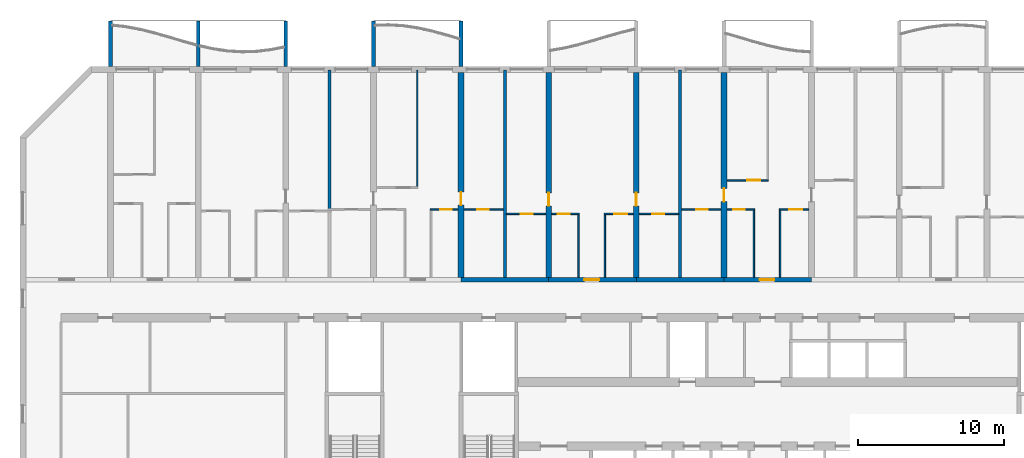
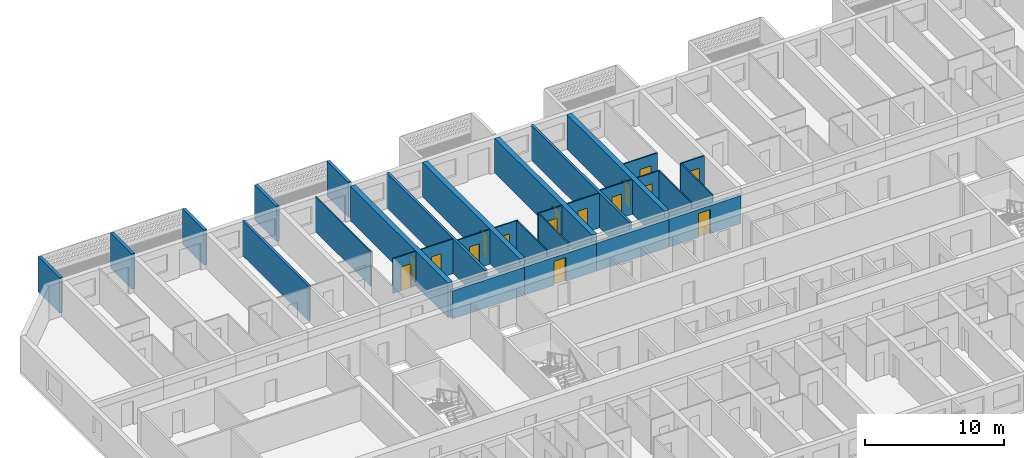
# One storey, part 11 of 40: 31 walls, 16 doors, 16 openings.
"""IFC4 building model written with IfcOpenShell, lengths in metres."""

from ifc_helpers import new_model, si_unit, direction, frame, frame_2d, origin, place, context, subcontext, project, spatial, polyline, rectangle, outline, extrude, source, transform, mapped, material, layer, layer_set, type_object, element, fill, save


model = new_model("IFC4")

# Units and contexts
model_context = context("Model", 3, precision=1e-05, world=origin(), true_north=direction((0.0, 1.0)))
body_context = subcontext(model_context, "Body", "Model", "MODEL_VIEW")
ifc_project = project(units=[si_unit("LENGTHUNIT", "METRE"), si_unit("AREAUNIT", "SQUARE_METRE"), si_unit("VOLUMEUNIT", "CUBIC_METRE"), si_unit("PLANEANGLEUNIT", "RADIAN"), si_unit("MASSUNIT", "GRAM", prefix="KILO")], contexts=[model_context])

# Site, building, storey
site_placement = place(None, origin())
site = spatial("IfcSite", under=ifc_project, at=site_placement, CompositionType="ELEMENT")
building_placement = place(site_placement, origin())
building = spatial("IfcBuilding", under=site, at=building_placement, Name="Poui Terraces", CompositionType="ELEMENT")
storey_placement = place(building_placement, frame((0.0, 0.0, 39.89990234375)))
storey = spatial("IfcBuildingStorey", under=building, at=storey_placement, Name="L10", CompositionType="ELEMENT", Elevation=39.89990234375)

# Wall
ifc_material_1 = material(Name="Concrete 80 MPa", Category="concrete")
ifc_layer_1 = layer(ifc_material_1, 0.300048828125)
ifc_layer_set_1 = layer_set([ifc_layer_1], Name="Concrete 80 MPa")
wall_type_1 = type_object("IfcWallType", Name="CORRIDOR WALL 300 80MPa", PredefinedType="SHEAR", material=ifc_layer_set_1)
wall_1_placement = place(storey_placement, frame((30.0, 30.39990234375, 0.0), z_axis=(0.0, 0.0, 1.0), x_axis=(1.0, 0.0, 0.0)))
element("IfcWall", 1, at=wall_1_placement, inside=storey, type_object=wall_type_1, Name="CORRIDOR WALL LINE E BAY 6", PredefinedType="SHEAR", context=body_context, shape_type="SweptSolid", body=[
    extrude(rectangle(XDim=6.0, YDim=0.300048828125, at=frame_2d((3.0, 0.0))), origin(), (0.0, 0.0, 1.0), 2.4501953125),
])

# Wall, opening, door
wall_2_placement = place(storey_placement, frame((36.0, 30.39990234375, 0.0), z_axis=(0.0, 0.0, 1.0), x_axis=(1.0, 0.0, 0.0)))
wall_2 = element("IfcWall", 2, at=wall_2_placement, inside=storey, type_object=wall_type_1, Name="CORRIDOR WALL LINE E BAY 7", PredefinedType="SHEAR", context=body_context, shape_type="SweptSolid", body=[
    extrude(rectangle(XDim=6.0, YDim=0.300048828125, at=frame_2d((3.0, 0.0))), origin(), (0.0, 0.0, 1.0), 2.4501953125),
])
opening_1_placement = place(wall_2_placement, frame((2.449951171875, 0.0, 0.0)))
opening_1 = element("IfcOpeningElement", 3, at=opening_1_placement, cuts=wall_2, Name="Opening FD30S", PredefinedType="OPENING", context=body_context, shape_type="SweptSolid", body=[
    extrude(rectangle(XDim=1.0, YDim=2.10009765625, at=frame_2d((0.5, 1.050048828125))), frame((0.0, 0.16015625, 0.0), z_axis=(0.0, -1.0, 0.0), x_axis=(1.0, 0.0, 0.0)), (0.0, 0.0, 1.0), 0.320068359375),
])
ifc_material_2 = material(Name="Steel fire door", Category="steel")
door_type_1 = type_object("IfcDoorType", Name="FLAT ENTRANCE DOOR 1000 X 2100", OperationType="NOTDEFINED", PredefinedType="DOOR", material=ifc_material_2)
door_1_placement = place(opening_1_placement, origin())
door_1 = element("IfcDoor", 4, at=door_1_placement, inside=storey, type_object=door_type_1, Name="FLAT ENTRANCE DOOR 052", OperationType="SINGLE_SWING_LEFT", OverallHeight=2.10009765625, OverallWidth=1.0, PredefinedType="DOOR", context=body_context, shape_type="SweptSolid", body=[
    extrude(rectangle(XDim=1.0, YDim=2.10009765625, at=frame_2d((0.5, 1.050048828125))), frame((0.0, 0.02490234375, 0.0), z_axis=(0.0, -1.0, 0.0), x_axis=(1.0, 0.0, 0.0)), (0.0, 0.0, 1.0), 0.050048828125),
])
fill(opening_1, door_1)

# Wall
wall_3_placement = place(storey_placement, frame((42.0, 30.39990234375, 0.0), z_axis=(0.0, 0.0, 1.0), x_axis=(1.0, 0.0, 0.0)))
element("IfcWall", 5, at=wall_3_placement, inside=storey, type_object=wall_type_1, Name="CORRIDOR WALL LINE E BAY 8", PredefinedType="SHEAR", context=body_context, shape_type="SweptSolid", body=[
    extrude(rectangle(XDim=6.0, YDim=0.300048828125, at=frame_2d((3.0, 0.0))), origin(), (0.0, 0.0, 1.0), 2.4501953125),
])

# Wall, opening, door
wall_4_placement = place(storey_placement, frame((48.0, 30.39990234375, 0.0), z_axis=(0.0, 0.0, 1.0), x_axis=(1.0, 0.0, 0.0)))
wall_4 = element("IfcWall", 6, at=wall_4_placement, inside=storey, type_object=wall_type_1, Name="CORRIDOR WALL LINE E BAY 9", PredefinedType="SHEAR", context=body_context, shape_type="SweptSolid", body=[
    extrude(rectangle(XDim=6.0, YDim=0.300048828125, at=frame_2d((3.0, 0.0))), origin(), (0.0, 0.0, 1.0), 2.4501953125),
])
opening_2_placement = place(wall_4_placement, frame((2.449951171875, 0.0, 0.0)))
opening_2 = element("IfcOpeningElement", 7, at=opening_2_placement, cuts=wall_4, Name="Opening FD30S", PredefinedType="OPENING", context=body_context, shape_type="SweptSolid", body=[
    extrude(rectangle(XDim=1.0, YDim=2.10009765625, at=frame_2d((0.5, 1.050048828125))), frame((0.0, 0.16015625, 0.0), z_axis=(0.0, -1.0, 0.0), x_axis=(1.0, 0.0, 0.0)), (0.0, 0.0, 1.0), 0.320068359375),
])
door_2_placement = place(opening_2_placement, origin())
door_2 = element("IfcDoor", 8, at=door_2_placement, inside=storey, type_object=door_type_1, Name="FLAT ENTRANCE DOOR 060", OperationType="SINGLE_SWING_LEFT", OverallHeight=2.10009765625, OverallWidth=1.0, PredefinedType="DOOR", context=body_context, shape_type="SweptSolid", body=[
    extrude(rectangle(XDim=1.0, YDim=2.10009765625, at=frame_2d((0.5, 1.050048828125))), frame((0.0, 0.02490234375, 0.0), z_axis=(0.0, -1.0, 0.0), x_axis=(1.0, 0.0, 0.0)), (0.0, 0.0, 1.0), 0.050048828125),
])
fill(opening_2, door_2)

ifc_layer_2 = layer(ifc_material_1, 0.39990234375)
ifc_layer_set_2 = layer_set([ifc_layer_2], Name="Concrete 80 MPa")
wall_type_2 = type_object("IfcWallType", Name="CROSS WALL 400 80MPa", PredefinedType="SHEAR", material=ifc_layer_set_2)
wall_5_placement = place(storey_placement, frame((30.0, 30.550048828125, 0.0), z_axis=(0.0, 0.0, 1.0), x_axis=(0.0, 1.0, 0.0)))
wall_5 = element("IfcWall", 9, at=wall_5_placement, inside=storey, type_object=wall_type_2, Name="CROSS WALL LINE 6 NORTH", PredefinedType="SHEAR", context=body_context, shape_type="SweptSolid", body=[
    extrude(rectangle(XDim=14.050048828125, YDim=0.39990234375, at=frame_2d((7.02490234375, 0.0))), origin(), (0.0, 0.0, 1.0), 3.050048828125),
])
opening_3_placement = place(wall_5_placement, frame((4.949951171875, 0.0, 0.0)))
opening_3 = element("IfcOpeningElement", 10, at=opening_3_placement, cuts=wall_5, Name="Opening D90", PredefinedType="OPENING", context=body_context, shape_type="SweptSolid", body=[
    extrude(rectangle(XDim=0.89990234375, YDim=2.10009765625, at=frame_2d((0.449951171875, 1.050048828125))), frame((0.0, 0.2099609375, 0.0), z_axis=(0.0, -1.0, 0.0), x_axis=(1.0, 0.0, 0.0)), (0.0, 0.0, 1.0), 0.419921875),
])
ifc_material_3 = material(Name="Solid core timber door", Category="wood")
door_type_2 = type_object("IfcDoorType", Name="INTERNAL DOOR 900 X 2100", OperationType="NOTDEFINED", PredefinedType="DOOR", material=ifc_material_3)
door_3_placement = place(opening_3_placement, frame((0.89990234375, 0.0, 0.0), z_axis=(0.0, 0.0, 1.0), x_axis=(-1.0, 0.0, 0.0)))
door_3 = element("IfcDoor", 11, at=door_3_placement, inside=storey, type_object=door_type_2, Name="INTERNAL DOOR 047", OperationType="SINGLE_SWING_RIGHT", OverallHeight=2.10009765625, OverallWidth=0.89990234375, PredefinedType="DOOR", context=body_context, shape_type="SweptSolid", body=[
    extrude(rectangle(XDim=0.89990234375, YDim=2.10009765625, at=frame_2d((0.449951171875, 1.050048828125))), frame((0.0, 0.02490234375, 0.0), z_axis=(0.0, -1.0, 0.0), x_axis=(1.0, 0.0, 0.0)), (0.0, 0.0, 1.0), 0.050048828125),
])
fill(opening_3, door_3)

wall_6_placement = place(storey_placement, frame((36.0, 30.550048828125, 0.0), z_axis=(0.0, 0.0, 1.0), x_axis=(0.0, 1.0, 0.0)))
wall_6 = element("IfcWall", 12, at=wall_6_placement, inside=storey, type_object=wall_type_2, Name="CROSS WALL LINE 7 NORTH", PredefinedType="SHEAR", context=body_context, shape_type="SweptSolid", body=[
    extrude(rectangle(XDim=14.050048828125, YDim=0.39990234375, at=frame_2d((7.02490234375, 0.0))), origin(), (0.0, 0.0, 1.0), 3.050048828125),
])
opening_4_placement = place(wall_6_placement, frame((4.89990234375, 0.0, 0.0)))
opening_4 = element("IfcOpeningElement", 13, at=opening_4_placement, cuts=wall_6, Name="Opening D90", PredefinedType="OPENING", context=body_context, shape_type="SweptSolid", body=[
    extrude(rectangle(XDim=0.89990234375, YDim=2.10009765625, at=frame_2d((0.449951171875, 1.050048828125))), frame((0.0, 0.2099609375, 0.0), z_axis=(0.0, -1.0, 0.0), x_axis=(1.0, 0.0, 0.0)), (0.0, 0.0, 1.0), 0.419921875),
])
door_4_placement = place(opening_4_placement, origin())
door_4 = element("IfcDoor", 14, at=door_4_placement, inside=storey, type_object=door_type_2, Name="INTERNAL DOOR 050", OperationType="SINGLE_SWING_LEFT", OverallHeight=2.10009765625, OverallWidth=0.89990234375, PredefinedType="DOOR", context=body_context, shape_type="SweptSolid", body=[
    extrude(rectangle(XDim=0.89990234375, YDim=2.10009765625, at=frame_2d((0.449951171875, 1.050048828125))), frame((0.0, 0.02490234375, 0.0), z_axis=(0.0, -1.0, 0.0), x_axis=(1.0, 0.0, 0.0)), (0.0, 0.0, 1.0), 0.050048828125),
])
fill(opening_4, door_4)

wall_7_placement = place(storey_placement, frame((42.0, 30.550048828125, 0.0), z_axis=(0.0, 0.0, 1.0), x_axis=(0.0, 1.0, 0.0)))
wall_7 = element("IfcWall", 15, at=wall_7_placement, inside=storey, type_object=wall_type_2, Name="CROSS WALL LINE 8 NORTH", PredefinedType="SHEAR", context=body_context, shape_type="SweptSolid", body=[
    extrude(rectangle(XDim=14.050048828125, YDim=0.39990234375, at=frame_2d((7.02490234375, 0.0))), origin(), (0.0, 0.0, 1.0), 3.050048828125),
])
opening_5_placement = place(wall_7_placement, frame((4.89990234375, 0.0, 0.0)))
opening_5 = element("IfcOpeningElement", 16, at=opening_5_placement, cuts=wall_7, Name="Opening D90", PredefinedType="OPENING", context=body_context, shape_type="SweptSolid", body=[
    extrude(rectangle(XDim=0.89990234375, YDim=2.10009765625, at=frame_2d((0.449951171875, 1.050048828125))), frame((0.0, 0.2099609375, 0.0), z_axis=(0.0, -1.0, 0.0), x_axis=(1.0, 0.0, 0.0)), (0.0, 0.0, 1.0), 0.419921875),
])
door_5_placement = place(opening_5_placement, frame((0.89990234375, 0.0, 0.0), z_axis=(0.0, 0.0, 1.0), x_axis=(-1.0, 0.0, 0.0)))
door_5 = element("IfcDoor", 17, at=door_5_placement, inside=storey, type_object=door_type_2, Name="INTERNAL DOOR 054", OperationType="SINGLE_SWING_RIGHT", OverallHeight=2.10009765625, OverallWidth=0.89990234375, PredefinedType="DOOR", context=body_context, shape_type="SweptSolid", body=[
    extrude(rectangle(XDim=0.89990234375, YDim=2.10009765625, at=frame_2d((0.449951171875, 1.050048828125))), frame((0.0, 0.02490234375, 0.0), z_axis=(0.0, -1.0, 0.0), x_axis=(1.0, 0.0, 0.0)), (0.0, 0.0, 1.0), 0.050048828125),
])
fill(opening_5, door_5)

wall_8_placement = place(storey_placement, frame((48.0, 30.550048828125, 0.0), z_axis=(0.0, 0.0, 1.0), x_axis=(0.0, 1.0, 0.0)))
wall_8 = element("IfcWall", 18, at=wall_8_placement, inside=storey, type_object=wall_type_2, Name="CROSS WALL LINE 9 NORTH", PredefinedType="SHEAR", context=body_context, shape_type="SweptSolid", body=[
    extrude(rectangle(XDim=14.050048828125, YDim=0.39990234375, at=frame_2d((7.02490234375, 0.0))), origin(), (0.0, 0.0, 1.0), 3.050048828125),
])
opening_6_placement = place(wall_8_placement, frame((5.199951171875, 0.0, 0.0)))
opening_6 = element("IfcOpeningElement", 19, at=opening_6_placement, cuts=wall_8, Name="Opening D90", PredefinedType="OPENING", context=body_context, shape_type="SweptSolid", body=[
    extrude(rectangle(XDim=0.89990234375, YDim=2.10009765625, at=frame_2d((0.449951171875, 1.050048828125))), frame((0.0, 0.2099609375, 0.0), z_axis=(0.0, -1.0, 0.0), x_axis=(1.0, 0.0, 0.0)), (0.0, 0.0, 1.0), 0.419921875),
])
door_6_placement = place(opening_6_placement, origin())
door_6 = element("IfcDoor", 20, at=door_6_placement, inside=storey, type_object=door_type_2, Name="INTERNAL DOOR 057", OperationType="SINGLE_SWING_LEFT", OverallHeight=2.10009765625, OverallWidth=0.89990234375, PredefinedType="DOOR", context=body_context, shape_type="SweptSolid", body=[
    extrude(rectangle(XDim=0.89990234375, YDim=2.10009765625, at=frame_2d((0.449951171875, 1.050048828125))), frame((0.0, 0.02490234375, 0.0), z_axis=(0.0, -1.0, 0.0), x_axis=(1.0, 0.0, 0.0)), (0.0, 0.0, 1.0), 0.050048828125),
])
fill(opening_6, door_6)

ifc_material_4 = material(Name="Plasterboard partition")
ifc_layer_3 = layer(ifc_material_4, 0.10009765625)
ifc_layer_set_3 = layer_set([ifc_layer_3], Name="Plasterboard partition")
wall_type_3 = type_object("IfcWallType", Name="FLAT PARTITION 100", PredefinedType="PARTITIONING", material=ifc_layer_set_3)
wall_9_placement = place(storey_placement, frame((33.10009765625, 34.89990234375, 0.0), z_axis=(0.0, 0.0, 1.0), x_axis=(1.0, 0.0, 0.0)))
wall_9 = element("IfcWall", 21, at=wall_9_placement, inside=storey, type_object=wall_type_3, Name="FLAT PARTITION 100", PredefinedType="PARTITIONING", context=body_context, shape_type="SweptSolid", body=[
    extrude(rectangle(XDim=2.68994140625, YDim=0.10009765625, at=frame_2d((1.344970703125, 0.0))), origin(), (0.0, 0.0, 1.0), 3.050048828125),
])
opening_7_placement = place(wall_9_placement, frame((1.0, 0.0, 0.0)))
opening_7 = element("IfcOpeningElement", 22, at=opening_7_placement, cuts=wall_9, Name="Opening D80", PredefinedType="OPENING", context=body_context, shape_type="SweptSolid", body=[
    extrude(rectangle(XDim=0.800048828125, YDim=2.10009765625, at=frame_2d((0.39990234375, 1.050048828125))), frame((0.0, 0.06005859375, 0.0), z_axis=(0.0, -1.0, 0.0), x_axis=(1.0, 0.0, 0.0)), (0.0, 0.0, 1.0), 0.1201171875),
])
door_type_3 = type_object("IfcDoorType", Name="BATHROOM, LAUNDRY AND STORE DOOR 800 X 2100", OperationType="NOTDEFINED", PredefinedType="DOOR", material=ifc_material_3)
door_7_placement = place(opening_7_placement, frame((0.800048828125, 0.0, 0.0), z_axis=(0.0, 0.0, 1.0), x_axis=(-1.0, 0.0, 0.0)))
door_7 = element("IfcDoor", 23, at=door_7_placement, inside=storey, type_object=door_type_3, Name="BATHROOM, LAUNDRY AND STORE DOOR 048", OperationType="SINGLE_SWING_RIGHT", OverallHeight=2.10009765625, OverallWidth=0.800048828125, PredefinedType="DOOR", context=body_context, shape_type="SweptSolid", body=[
    extrude(rectangle(XDim=0.800048828125, YDim=2.10009765625, at=frame_2d((0.39990234375, 1.050048828125))), frame((0.0, 0.02490234375, 0.0), z_axis=(0.0, -1.0, 0.0), x_axis=(1.0, 0.0, 0.0)), (0.0, 0.0, 1.0), 0.050048828125),
])
fill(opening_7, door_7)

wall_10_placement = place(storey_placement, frame((36.2099609375, 34.89990234375, 0.0), z_axis=(0.0, 0.0, 1.0), x_axis=(1.0, 0.0, 0.0)))
wall_10 = element("IfcWall", 24, at=wall_10_placement, inside=storey, type_object=wall_type_3, Name="FLAT PARTITION 100", PredefinedType="PARTITIONING", context=body_context, shape_type="SweptSolid", body=[
    extrude(rectangle(XDim=1.89013671875, YDim=0.10009765625, at=frame_2d((0.945068359375, 0.0))), origin(), (0.0, 0.0, 1.0), 3.050048828125),
])
opening_8_placement = place(wall_10_placement, frame((0.4150390625, 0.0, 0.0)))
opening_8 = element("IfcOpeningElement", 25, at=opening_8_placement, cuts=wall_10, Name="Opening D80", PredefinedType="OPENING", context=body_context, shape_type="SweptSolid", body=[
    extrude(rectangle(XDim=0.800048828125, YDim=2.10009765625, at=frame_2d((0.39990234375, 1.050048828125))), frame((0.0, 0.06005859375, 0.0), z_axis=(0.0, -1.0, 0.0), x_axis=(1.0, 0.0, 0.0)), (0.0, 0.0, 1.0), 0.1201171875),
])
door_8_placement = place(opening_8_placement, frame((0.800048828125, 0.0, 0.0), z_axis=(0.0, 0.0, 1.0), x_axis=(-1.0, 0.0, 0.0)))
door_8 = element("IfcDoor", 26, at=door_8_placement, inside=storey, type_object=door_type_3, Name="BATHROOM, LAUNDRY AND STORE DOOR 051", OperationType="SINGLE_SWING_LEFT", OverallHeight=2.10009765625, OverallWidth=0.800048828125, PredefinedType="DOOR", context=body_context, shape_type="SweptSolid", body=[
    extrude(rectangle(XDim=0.800048828125, YDim=2.10009765625, at=frame_2d((0.39990234375, 1.050048828125))), frame((0.0, 0.02490234375, 0.0), z_axis=(0.0, -1.0, 0.0), x_axis=(1.0, 0.0, 0.0)), (0.0, 0.0, 1.0), 0.050048828125),
])
fill(opening_8, door_8)

wall_11_placement = place(storey_placement, frame((39.800048828125, 34.89990234375, 0.0), z_axis=(0.0, 0.0, 1.0), x_axis=(1.0, 0.0, 0.0)))
wall_11 = element("IfcWall", 27, at=wall_11_placement, inside=storey, type_object=wall_type_3, Name="FLAT PARTITION 100", PredefinedType="PARTITIONING", context=body_context, shape_type="SweptSolid", body=[
    extrude(rectangle(XDim=1.989990234375, YDim=0.10009765625, at=frame_2d((0.9951171875, 0.0))), origin(), (0.0, 0.0, 1.0), 3.050048828125),
])
opening_9_placement = place(wall_11_placement, frame((0.675048828125, 0.0, 0.0)))
opening_9 = element("IfcOpeningElement", 28, at=opening_9_placement, cuts=wall_11, Name="Opening D90", PredefinedType="OPENING", context=body_context, shape_type="SweptSolid", body=[
    extrude(rectangle(XDim=0.89990234375, YDim=2.10009765625, at=frame_2d((0.449951171875, 1.050048828125))), frame((0.0, 0.06005859375, 0.0), z_axis=(0.0, -1.0, 0.0), x_axis=(1.0, 0.0, 0.0)), (0.0, 0.0, 1.0), 0.1201171875),
])
door_9_placement = place(opening_9_placement, frame((0.89990234375, 0.0, 0.0), z_axis=(0.0, 0.0, 1.0), x_axis=(-1.0, 0.0, 0.0)))
door_9 = element("IfcDoor", 29, at=door_9_placement, inside=storey, type_object=door_type_2, Name="INTERNAL DOOR 053", OperationType="SINGLE_SWING_RIGHT", OverallHeight=2.10009765625, OverallWidth=0.89990234375, PredefinedType="DOOR", context=body_context, shape_type="SweptSolid", body=[
    extrude(rectangle(XDim=0.89990234375, YDim=2.10009765625, at=frame_2d((0.449951171875, 1.050048828125))), frame((0.0, 0.02490234375, 0.0), z_axis=(0.0, -1.0, 0.0), x_axis=(1.0, 0.0, 0.0)), (0.0, 0.0, 1.0), 0.050048828125),
])
fill(opening_9, door_9)

wall_12_placement = place(storey_placement, frame((42.2099609375, 34.89990234375, 0.0), z_axis=(0.0, 0.0, 1.0), x_axis=(1.0, 0.0, 0.0)))
wall_12 = element("IfcWall", 30, at=wall_12_placement, inside=storey, type_object=wall_type_3, Name="FLAT PARTITION 100", PredefinedType="PARTITIONING", context=body_context, shape_type="SweptSolid", body=[
    extrude(rectangle(XDim=2.68994140625, YDim=0.10009765625, at=frame_2d((1.344970703125, 0.0))), origin(), (0.0, 0.0, 1.0), 3.050048828125),
])
opening_10_placement = place(wall_12_placement, frame((0.889892578125, 0.0, 0.0)))
opening_10 = element("IfcOpeningElement", 31, at=opening_10_placement, cuts=wall_12, Name="Opening D80", PredefinedType="OPENING", context=body_context, shape_type="SweptSolid", body=[
    extrude(rectangle(XDim=0.800048828125, YDim=2.10009765625, at=frame_2d((0.39990234375, 1.050048828125))), frame((0.0, 0.06005859375, 0.0), z_axis=(0.0, -1.0, 0.0), x_axis=(1.0, 0.0, 0.0)), (0.0, 0.0, 1.0), 0.1201171875),
])
door_10_placement = place(opening_10_placement, frame((0.800048828125, 0.0, 0.0), z_axis=(0.0, 0.0, 1.0), x_axis=(-1.0, 0.0, 0.0)))
door_10 = element("IfcDoor", 32, at=door_10_placement, inside=storey, type_object=door_type_3, Name="BATHROOM, LAUNDRY AND STORE DOOR 049", OperationType="SINGLE_SWING_RIGHT", OverallHeight=2.10009765625, OverallWidth=0.800048828125, PredefinedType="DOOR", context=body_context, shape_type="SweptSolid", body=[
    extrude(rectangle(XDim=0.800048828125, YDim=2.10009765625, at=frame_2d((0.39990234375, 1.050048828125))), frame((0.0, 0.02490234375, 0.0), z_axis=(0.0, -1.0, 0.0), x_axis=(1.0, 0.0, 0.0)), (0.0, 0.0, 1.0), 0.050048828125),
])
fill(opening_10, door_10)

wall_13_placement = place(storey_placement, frame((27.89990234375, 35.199951171875, 0.0), z_axis=(0.0, 0.0, 1.0), x_axis=(1.0, 0.0, 0.0)))
wall_13 = element("IfcWall", 33, at=wall_13_placement, inside=storey, type_object=wall_type_3, Name="FLAT PARTITION 100", PredefinedType="PARTITIONING", context=body_context, shape_type="SweptSolid", body=[
    extrude(rectangle(XDim=1.89013671875, YDim=0.10009765625, at=frame_2d((0.945068359375, 0.0))), origin(), (0.0, 0.0, 1.0), 3.050048828125),
])
opening_11_placement = place(wall_13_placement, frame((0.675048828125, 0.0, 0.0)))
opening_11 = element("IfcOpeningElement", 34, at=opening_11_placement, cuts=wall_13, Name="Opening D80", PredefinedType="OPENING", context=body_context, shape_type="SweptSolid", body=[
    extrude(rectangle(XDim=0.800048828125, YDim=2.10009765625, at=frame_2d((0.39990234375, 1.050048828125))), frame((0.0, 0.06005859375, 0.0), z_axis=(0.0, -1.0, 0.0), x_axis=(1.0, 0.0, 0.0)), (0.0, 0.0, 1.0), 0.1201171875),
])
door_11_placement = place(opening_11_placement, frame((0.800048828125, 0.0, 0.0), z_axis=(0.0, 0.0, 1.0), x_axis=(-1.0, 0.0, 0.0)))
door_11 = element("IfcDoor", 35, at=door_11_placement, inside=storey, type_object=door_type_3, Name="BATHROOM, LAUNDRY AND STORE DOOR 046", OperationType="SINGLE_SWING_RIGHT", OverallHeight=2.10009765625, OverallWidth=0.800048828125, PredefinedType="DOOR", context=body_context, shape_type="SweptSolid", body=[
    extrude(rectangle(XDim=0.800048828125, YDim=2.10009765625, at=frame_2d((0.39990234375, 1.050048828125))), frame((0.0, 0.02490234375, 0.0), z_axis=(0.0, -1.0, 0.0), x_axis=(1.0, 0.0, 0.0)), (0.0, 0.0, 1.0), 0.050048828125),
])
fill(opening_11, door_11)

wall_14_placement = place(storey_placement, frame((30.2099609375, 35.199951171875, 0.0), z_axis=(0.0, 0.0, 1.0), x_axis=(1.0, 0.0, 0.0)))
wall_14 = element("IfcWall", 36, at=wall_14_placement, inside=storey, type_object=wall_type_3, Name="FLAT PARTITION 100", PredefinedType="PARTITIONING", context=body_context, shape_type="SweptSolid", body=[
    extrude(rectangle(XDim=2.68994140625, YDim=0.10009765625, at=frame_2d((1.344970703125, 0.0))), origin(), (0.0, 0.0, 1.0), 3.050048828125),
])
opening_12_placement = place(wall_14_placement, frame((0.889892578125, 0.0, 0.0)))
opening_12 = element("IfcOpeningElement", 37, at=opening_12_placement, cuts=wall_14, Name="Opening D80", PredefinedType="OPENING", context=body_context, shape_type="SweptSolid", body=[
    extrude(rectangle(XDim=0.800048828125, YDim=2.10009765625, at=frame_2d((0.39990234375, 1.050048828125))), frame((0.0, 0.06005859375, 0.0), z_axis=(0.0, -1.0, 0.0), x_axis=(1.0, 0.0, 0.0)), (0.0, 0.0, 1.0), 0.1201171875),
])
door_12_placement = place(opening_12_placement, frame((0.800048828125, 0.0, 0.0), z_axis=(0.0, 0.0, 1.0), x_axis=(-1.0, 0.0, 0.0)))
door_12 = element("IfcDoor", 38, at=door_12_placement, inside=storey, type_object=door_type_3, Name="BATHROOM, LAUNDRY AND STORE DOOR 041", OperationType="SINGLE_SWING_LEFT", OverallHeight=2.10009765625, OverallWidth=0.800048828125, PredefinedType="DOOR", context=body_context, shape_type="SweptSolid", body=[
    extrude(rectangle(XDim=0.800048828125, YDim=2.10009765625, at=frame_2d((0.39990234375, 1.050048828125))), frame((0.0, 0.02490234375, 0.0), z_axis=(0.0, -1.0, 0.0), x_axis=(1.0, 0.0, 0.0)), (0.0, 0.0, 1.0), 0.050048828125),
])
fill(opening_12, door_12)

wall_15_placement = place(storey_placement, frame((45.10009765625, 35.199951171875, 0.0), z_axis=(0.0, 0.0, 1.0), x_axis=(1.0, 0.0, 0.0)))
wall_15 = element("IfcWall", 39, at=wall_15_placement, inside=storey, type_object=wall_type_3, Name="FLAT PARTITION 100", PredefinedType="PARTITIONING", context=body_context, shape_type="SweptSolid", body=[
    extrude(rectangle(XDim=2.68994140625, YDim=0.10009765625, at=frame_2d((1.344970703125, 0.0))), origin(), (0.0, 0.0, 1.0), 3.050048828125),
])
opening_13_placement = place(wall_15_placement, frame((1.0, 0.0, 0.0)))
opening_13 = element("IfcOpeningElement", 40, at=opening_13_placement, cuts=wall_15, Name="Opening D80", PredefinedType="OPENING", context=body_context, shape_type="SweptSolid", body=[
    extrude(rectangle(XDim=0.800048828125, YDim=2.10009765625, at=frame_2d((0.39990234375, 1.050048828125))), frame((0.0, 0.06005859375, 0.0), z_axis=(0.0, -1.0, 0.0), x_axis=(1.0, 0.0, 0.0)), (0.0, 0.0, 1.0), 0.1201171875),
])
door_13_placement = place(opening_13_placement, frame((0.800048828125, 0.0, 0.0), z_axis=(0.0, 0.0, 1.0), x_axis=(-1.0, 0.0, 0.0)))
door_13 = element("IfcDoor", 41, at=door_13_placement, inside=storey, type_object=door_type_3, Name="BATHROOM, LAUNDRY AND STORE DOOR 055", OperationType="SINGLE_SWING_LEFT", OverallHeight=2.10009765625, OverallWidth=0.800048828125, PredefinedType="DOOR", context=body_context, shape_type="SweptSolid", body=[
    extrude(rectangle(XDim=0.800048828125, YDim=2.10009765625, at=frame_2d((0.39990234375, 1.050048828125))), frame((0.0, 0.02490234375, 0.0), z_axis=(0.0, -1.0, 0.0), x_axis=(1.0, 0.0, 0.0)), (0.0, 0.0, 1.0), 0.050048828125),
])
fill(opening_13, door_13)

wall_16_placement = place(storey_placement, frame((48.2099609375, 35.199951171875, 0.0), z_axis=(0.0, 0.0, 1.0), x_axis=(1.0, 0.0, 0.0)))
wall_16 = element("IfcWall", 42, at=wall_16_placement, inside=storey, type_object=wall_type_3, Name="FLAT PARTITION 100", PredefinedType="PARTITIONING", context=body_context, shape_type="SweptSolid", body=[
    extrude(rectangle(XDim=1.89013671875, YDim=0.10009765625, at=frame_2d((0.945068359375, 0.0))), origin(), (0.0, 0.0, 1.0), 3.050048828125),
])
opening_14_placement = place(wall_16_placement, frame((0.4150390625, 0.0, 0.0)))
opening_14 = element("IfcOpeningElement", 43, at=opening_14_placement, cuts=wall_16, Name="Opening D80", PredefinedType="OPENING", context=body_context, shape_type="SweptSolid", body=[
    extrude(rectangle(XDim=0.800048828125, YDim=2.10009765625, at=frame_2d((0.39990234375, 1.050048828125))), frame((0.0, 0.06005859375, 0.0), z_axis=(0.0, -1.0, 0.0), x_axis=(1.0, 0.0, 0.0)), (0.0, 0.0, 1.0), 0.1201171875),
])
door_14_placement = place(opening_14_placement, frame((0.800048828125, 0.0, 0.0), z_axis=(0.0, 0.0, 1.0), x_axis=(-1.0, 0.0, 0.0)))
door_14 = element("IfcDoor", 44, at=door_14_placement, inside=storey, type_object=door_type_3, Name="BATHROOM, LAUNDRY AND STORE DOOR 058", OperationType="SINGLE_SWING_LEFT", OverallHeight=2.10009765625, OverallWidth=0.800048828125, PredefinedType="DOOR", context=body_context, shape_type="SweptSolid", body=[
    extrude(rectangle(XDim=0.800048828125, YDim=2.10009765625, at=frame_2d((0.39990234375, 1.050048828125))), frame((0.0, 0.02490234375, 0.0), z_axis=(0.0, -1.0, 0.0), x_axis=(1.0, 0.0, 0.0)), (0.0, 0.0, 1.0), 0.050048828125),
])
fill(opening_14, door_14)

wall_17_placement = place(storey_placement, frame((51.800048828125, 35.199951171875, 0.0), z_axis=(0.0, 0.0, 1.0), x_axis=(1.0, 0.0, 0.0)))
wall_17 = element("IfcWall", 45, at=wall_17_placement, inside=storey, type_object=wall_type_3, Name="FLAT PARTITION 100", PredefinedType="PARTITIONING", context=body_context, shape_type="SweptSolid", body=[
    extrude(rectangle(XDim=1.989990234375, YDim=0.10009765625, at=frame_2d((0.9951171875, 0.0))), origin(), (0.0, 0.0, 1.0), 3.050048828125),
])
opening_15_placement = place(wall_17_placement, frame((0.675048828125, 0.0, 0.0)))
opening_15 = element("IfcOpeningElement", 46, at=opening_15_placement, cuts=wall_17, Name="Opening D90", PredefinedType="OPENING", context=body_context, shape_type="SweptSolid", body=[
    extrude(rectangle(XDim=0.89990234375, YDim=2.10009765625, at=frame_2d((0.449951171875, 1.050048828125))), frame((0.0, 0.06005859375, 0.0), z_axis=(0.0, -1.0, 0.0), x_axis=(1.0, 0.0, 0.0)), (0.0, 0.0, 1.0), 0.1201171875),
])
door_15_placement = place(opening_15_placement, frame((0.89990234375, 0.0, 0.0), z_axis=(0.0, 0.0, 1.0), x_axis=(-1.0, 0.0, 0.0)))
door_15 = element("IfcDoor", 47, at=door_15_placement, inside=storey, type_object=door_type_2, Name="INTERNAL DOOR 061", OperationType="SINGLE_SWING_RIGHT", OverallHeight=2.10009765625, OverallWidth=0.89990234375, PredefinedType="DOOR", context=body_context, shape_type="SweptSolid", body=[
    extrude(rectangle(XDim=0.89990234375, YDim=2.10009765625, at=frame_2d((0.449951171875, 1.050048828125))), frame((0.0, 0.02490234375, 0.0), z_axis=(0.0, -1.0, 0.0), x_axis=(1.0, 0.0, 0.0)), (0.0, 0.0, 1.0), 0.050048828125),
])
fill(opening_15, door_15)

wall_18_placement = place(storey_placement, frame((48.2099609375, 37.199951171875, 0.0), z_axis=(0.0, 0.0, 1.0), x_axis=(1.0, 0.0, 0.0)))
wall_18 = element("IfcWall", 48, at=wall_18_placement, inside=storey, type_object=wall_type_3, Name="FLAT PARTITION 100", PredefinedType="PARTITIONING", context=body_context, shape_type="SweptSolid", body=[
    extrude(rectangle(XDim=2.840087890625, YDim=0.10009765625, at=frame_2d((1.419921875, 0.0))), origin(), (0.0, 0.0, 1.0), 3.050048828125),
])
opening_16_placement = place(wall_18_placement, frame((1.389892578125, 0.0, 0.0)))
opening_16 = element("IfcOpeningElement", 49, at=opening_16_placement, cuts=wall_18, Name="Opening D90", PredefinedType="OPENING", context=body_context, shape_type="SweptSolid", body=[
    extrude(rectangle(XDim=0.89990234375, YDim=2.10009765625, at=frame_2d((0.449951171875, 1.050048828125))), frame((0.0, 0.06005859375, 0.0), z_axis=(0.0, -1.0, 0.0), x_axis=(1.0, 0.0, 0.0)), (0.0, 0.0, 1.0), 0.1201171875),
])
door_16_placement = place(opening_16_placement, frame((0.89990234375, 0.0, 0.0), z_axis=(0.0, 0.0, 1.0), x_axis=(-1.0, 0.0, 0.0)))
door_16 = element("IfcDoor", 50, at=door_16_placement, inside=storey, type_object=door_type_2, Name="INTERNAL DOOR 059", OperationType="SINGLE_SWING_RIGHT", OverallHeight=2.10009765625, OverallWidth=0.89990234375, PredefinedType="DOOR", context=body_context, shape_type="SweptSolid", body=[
    extrude(rectangle(XDim=0.89990234375, YDim=2.10009765625, at=frame_2d((0.449951171875, 1.050048828125))), frame((0.0, 0.02490234375, 0.0), z_axis=(0.0, -1.0, 0.0), x_axis=(1.0, 0.0, 0.0)), (0.0, 0.0, 1.0), 0.050048828125),
])
fill(opening_16, door_16)

# Walls
wall_19_placement = place(storey_placement, frame((27.0, 36.75, 0.0), z_axis=(0.0, 0.0, 1.0), x_axis=(0.0, 1.0, 0.0)))
element("IfcWall", 51, at=wall_19_placement, inside=storey, type_object=wall_type_3, Name="FLAT PARTITION 100", PredefinedType="PARTITIONING", context=body_context, shape_type="SweptSolid", body=[
    extrude(rectangle(XDim=7.989990234375, YDim=0.10009765625, at=frame_2d((3.9951171875, 0.0))), origin(), (0.0, 0.0, 1.0), 3.050048828125),
])
for number, where, z_axis, x_axis, name in (
    (52, (38.050048828125, 30.56005859375, 0.0), (0.0, 0.0, 1.0), (0.0, 1.0, 0.0), "FLAT PARTITION 100"),
    (53, (39.85009765625, 30.56005859375, 0.0), (0.0, 0.0, 1.0), (0.0, 1.0, 0.0), "FLAT PARTITION 100"),
):
    element("IfcWall", number, at=place(storey_placement, frame(where, z_axis=z_axis, x_axis=x_axis)), inside=storey, type_object=wall_type_3, Name=name, PredefinedType="PARTITIONING", context=body_context, shape_type="SweptSolid", body=[
        extrude(rectangle(XDim=4.2900390625, YDim=0.10009765625, at=frame_2d((2.14501953125, 0.0))), origin(), (0.0, 0.0, 1.0), 3.050048828125),
    ])
for number, where, z_axis, x_axis, name in (
    (54, (50.050048828125, 30.56005859375, 0.0), (0.0, 0.0, 1.0), (0.0, 1.0, 0.0), "FLAT PARTITION 100"),
    (55, (51.85009765625, 30.56005859375, 0.0), (0.0, 0.0, 1.0), (0.0, 1.0, 0.0), "FLAT PARTITION 100"),
):
    element("IfcWall", number, at=place(storey_placement, frame(where, z_axis=z_axis, x_axis=x_axis)), inside=storey, type_object=wall_type_3, Name=name, PredefinedType="PARTITIONING", context=body_context, shape_type="SweptSolid", body=[
        extrude(rectangle(XDim=4.58984375, YDim=0.10009765625, at=frame_2d((2.294921875, 0.0))), origin(), (0.0, 0.0, 1.0), 3.050048828125),
    ])
ifc_material_5 = material(Name="Fire-rated masonry wall", Category="masonry")
ifc_layer_4 = layer(ifc_material_5, 0.199951171875)
ifc_layer_set_4 = layer_set([ifc_layer_4], Name="Fire-rated masonry wall")
wall_type_4 = type_object("IfcWallType", Name="FLAT PARTY WALL 200", PredefinedType="PARTITIONING", material=ifc_layer_set_4)
wall_20_placement = place(storey_placement, frame((21.0, 35.25, 0.0), z_axis=(0.0, 0.0, 1.0), x_axis=(0.0, 1.0, 0.0)))
element("IfcWall", 56, at=wall_20_placement, inside=storey, type_object=wall_type_4, Name="FLAT PARTY WALL 200", PredefinedType="PARTITIONING", context=body_context, shape_type="SweptSolid", body=[
    extrude(rectangle(XDim=9.489990234375, YDim=0.199951171875, at=frame_2d((4.7451171875, 0.0))), origin(), (0.0, 0.0, 1.0), 3.050048828125),
])
for number, where, z_axis, x_axis, name in (
    (57, (33.0, 30.56005859375, 0.0), (0.0, 0.0, 1.0), (0.0, 1.0, 0.0), "FLAT PARTY WALL 200"),
    (58, (45.0, 30.56005859375, 0.0), (0.0, 0.0, 1.0), (0.0, 1.0, 0.0), "FLAT PARTY WALL 200"),
):
    element("IfcWall", number, at=place(storey_placement, frame(where, z_axis=z_axis, x_axis=x_axis)), inside=storey, type_object=wall_type_4, Name=name, PredefinedType="PARTITIONING", context=body_context, shape_type="SweptSolid", body=[
        extrude(rectangle(XDim=14.179931640625, YDim=0.199951171875, at=frame_2d((7.08984375, 0.0))), origin(), (0.0, 0.0, 1.0), 3.050048828125),
    ])
ifc_material_6 = material(Name="Precast concrete 40 MPa", Category="concrete")
ifc_layer_5 = layer(ifc_material_6, 0.25)
ifc_layer_set_5 = layer_set([ifc_layer_5], Name="Precast concrete 40 MPa")
wall_type_5 = type_object("IfcWallType", Name="BALCONY FIN 250", PredefinedType="STANDARD", material=ifc_layer_set_5)
shared_shape = source(origin(), body_context, "Body", "SweptSolid", [
    extrude(outline(polyline([(0.0, 0.0), (0.25, 0.0), (0.25, 3.10009765625), (0.0, 3.10009765625), (0.0, 0.0)])), origin(), (0.0, 0.0, 1.0), 3.10009765625),
])
for number, where, name in (
    (59, (5.875, 45.0, 0.0), "BALCONY FIN"),
    (60, (11.875, 45.0, 0.0), "BALCONY FIN"),
    (61, (17.875, 45.0, 0.0), "BALCONY FIN"),
    (62, (23.875, 45.0, 0.0), "BALCONY FIN"),
    (63, (29.875, 45.0, 0.0), "BALCONY FIN"),
):
    element("IfcWall", number, at=place(storey_placement, frame(where)), inside=storey, type_object=wall_type_5, Name=name, PredefinedType="STANDARD", context=body_context, shape_type="MappedRepresentation", body=[
        mapped(shared_shape, transform((0.0, 0.0, 0.0))),
    ])

save(model, "model.ifc")
